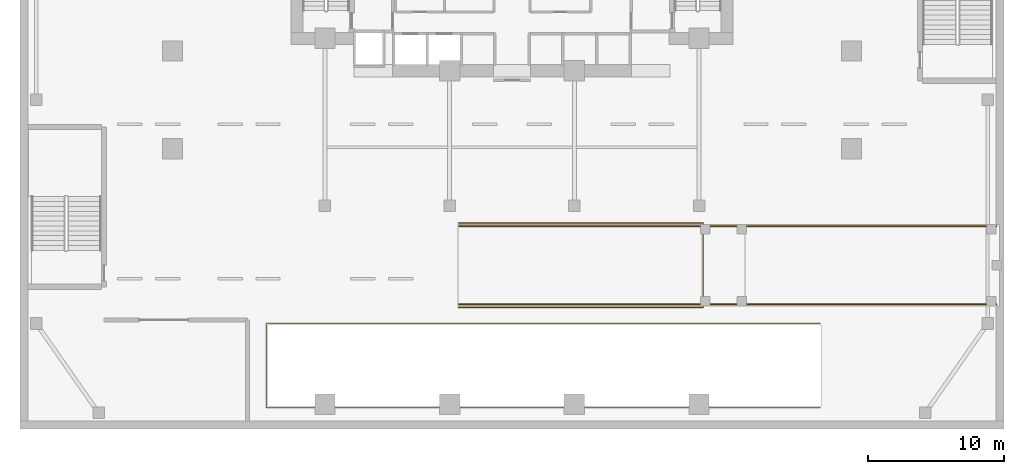
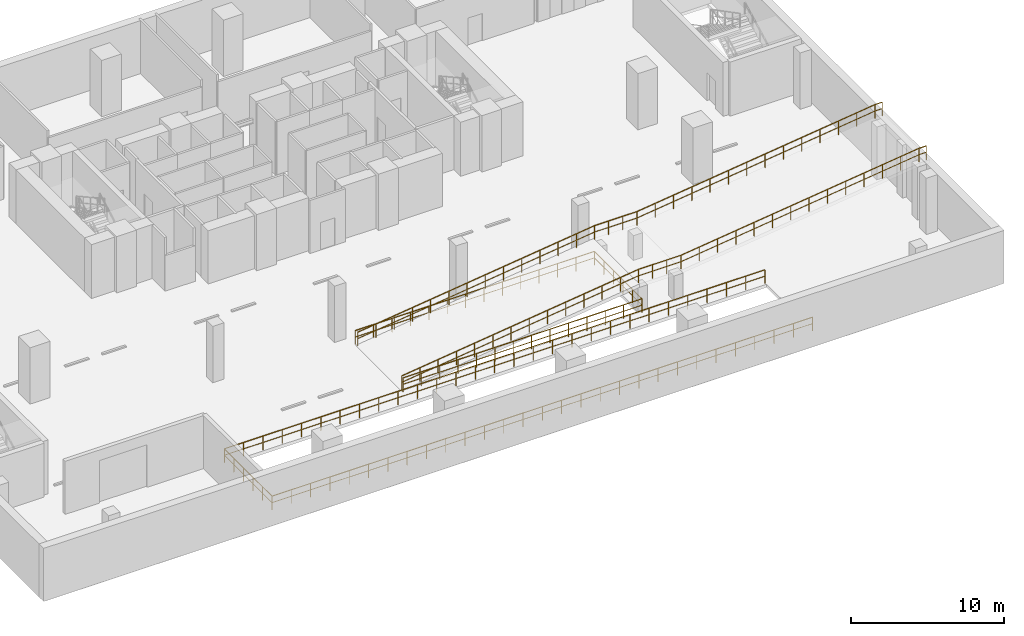
# One storey, part 10 of 13: 4 railings.
"""IFC4 building model written with IfcOpenShell, lengths in metres."""

from ifc_helpers import new_model, si_unit, direction, frame, origin, origin_2d, place, context, subcontext, project, spatial, rectangle, extrude, material, type_object, element, save


model = new_model("IFC4")

# Units and contexts
model_context = context("Model", 3, precision=1e-05, world=origin(), true_north=direction((0.0, 1.0)))
body_context = subcontext(model_context, "Body", "Model", "MODEL_VIEW")
ifc_project = project(units=[si_unit("LENGTHUNIT", "METRE"), si_unit("AREAUNIT", "SQUARE_METRE"), si_unit("VOLUMEUNIT", "CUBIC_METRE"), si_unit("PLANEANGLEUNIT", "RADIAN"), si_unit("MASSUNIT", "GRAM", prefix="KILO")], contexts=[model_context])

# Site, building, storey
site_placement = place(None, origin())
site = spatial("IfcSite", under=ifc_project, at=site_placement, CompositionType="ELEMENT")
building_placement = place(site_placement, origin())
building = spatial("IfcBuilding", under=site, at=building_placement, Name="Zuhayl Quay Hotel", CompositionType="ELEMENT")
storey_placement = place(building_placement, frame((0.0, 0.0, -4.5)))
storey = spatial("IfcBuildingStorey", under=building, at=storey_placement, Name="B1", CompositionType="ELEMENT", Elevation=-4.5)

# Railings
ifc_material = material(Name="Steel ASTM A992 Grade 50", Category="steel")
railing_type = type_object("IfcRailingType", Name="RL_GUARD_1100", PredefinedType="GUARDRAIL", material=ifc_material)
railing_1_placement = place(storey_placement, frame((22.75, -16.47998046875, 0.0)))
element("IfcRailing", 1, at=railing_1_placement, inside=storey, type_object=railing_type, Name="B1 Vehicle Ramp Opening Safety Guard SG_RAMP_WELL_B1_ARR", PredefinedType="GUARDRAIL", context=body_context, shape_type="SweptSolid", body=[
    extrude(rectangle(XDim=0.048095703125, YDim=0.048095703125, at=origin_2d()), frame((0.0, 0.0, 1.09619140625), z_axis=(-1.0, 0.0, 0.0), x_axis=(0.0, -1.0, 0.0)), (0.0, 0.0, 1.0), 40.8701171875),
    extrude(rectangle(XDim=0.0361328125, YDim=0.0361328125, at=origin_2d()), frame((0.0, 0.0, 0.58251953125), z_axis=(-1.0, 0.0, 0.0), x_axis=(0.0, -1.0, 0.0)), (0.0, 0.0, 1.0), 40.8701171875),
    extrude(rectangle(XDim=0.048095703125, YDim=0.048095703125, at=origin_2d()), frame((-40.8701171875, 0.0, 1.09619140625), z_axis=(0.0, -1.0, 0.0), x_axis=(1.0, 0.0, 0.0)), (0.0, 0.0, 1.0), 6.239990234375),
    extrude(rectangle(XDim=0.0361328125, YDim=0.0361328125, at=origin_2d()), frame((-40.8701171875, 0.0, 0.58251953125), z_axis=(0.0, -1.0, 0.0), x_axis=(1.0, 0.0, 0.0)), (0.0, 0.0, 1.0), 6.239990234375),
    extrude(rectangle(XDim=0.048095703125, YDim=0.048095703125, at=origin_2d()), frame((-40.8701171875, -6.239990234375, 1.09619140625), z_axis=(1.0, 0.0, 0.0), x_axis=(0.0, 1.0, 0.0)), (0.0, 0.0, 1.0), 40.8701171875),
    extrude(rectangle(XDim=0.0361328125, YDim=0.0361328125, at=origin_2d()), frame((-40.8701171875, -6.239990234375, 0.58251953125), z_axis=(1.0, 0.0, 0.0), x_axis=(0.0, 1.0, 0.0)), (0.0, 0.0, 1.0), 40.8701171875),
    extrude(rectangle(XDim=0.0419921875, YDim=0.0419921875, at=origin_2d()), origin(), (0.0, 0.0, 1.0), 1.072021484375),
    extrude(rectangle(XDim=0.0419921875, YDim=0.0419921875, at=origin_2d()), frame((-1.459716796875, 0.0, 0.0)), (0.0, 0.0, 1.0), 1.072021484375),
    extrude(rectangle(XDim=0.0419921875, YDim=0.0419921875, at=origin_2d()), frame((-2.919189453125, 0.0, 0.0)), (0.0, 0.0, 1.0), 1.072021484375),
    extrude(rectangle(XDim=0.0419921875, YDim=0.0419921875, at=origin_2d()), frame((-4.37890625, 0.0, 0.0)), (0.0, 0.0, 1.0), 1.072021484375),
    extrude(rectangle(XDim=0.0419921875, YDim=0.0419921875, at=origin_2d()), frame((-5.838623046875, 0.0, 0.0)), (0.0, 0.0, 1.0), 1.072021484375),
    extrude(rectangle(XDim=0.0419921875, YDim=0.0419921875, at=origin_2d()), frame((-7.29833984375, 0.0, 0.0)), (0.0, 0.0, 1.0), 1.072021484375),
    extrude(rectangle(XDim=0.0419921875, YDim=0.0419921875, at=origin_2d()), frame((-8.7578125, 0.0, 0.0)), (0.0, 0.0, 1.0), 1.072021484375),
    extrude(rectangle(XDim=0.0419921875, YDim=0.0419921875, at=origin_2d()), frame((-10.217529296875, 0.0, 0.0)), (0.0, 0.0, 1.0), 1.072021484375),
    extrude(rectangle(XDim=0.0419921875, YDim=0.0419921875, at=origin_2d()), frame((-11.67724609375, 0.0, 0.0)), (0.0, 0.0, 1.0), 1.072021484375),
    extrude(rectangle(XDim=0.0419921875, YDim=0.0419921875, at=origin_2d()), frame((-13.13671875, 0.0, 0.0)), (0.0, 0.0, 1.0), 1.072021484375),
    extrude(rectangle(XDim=0.0419921875, YDim=0.0419921875, at=origin_2d()), frame((-14.596435546875, 0.0, 0.0)), (0.0, 0.0, 1.0), 1.072021484375),
    extrude(rectangle(XDim=0.0419921875, YDim=0.0419921875, at=origin_2d()), frame((-16.05615234375, 0.0, 0.0)), (0.0, 0.0, 1.0), 1.072021484375),
    extrude(rectangle(XDim=0.0419921875, YDim=0.0419921875, at=origin_2d()), frame((-17.515869140625, 0.0, 0.0)), (0.0, 0.0, 1.0), 1.072021484375),
    extrude(rectangle(XDim=0.0419921875, YDim=0.0419921875, at=origin_2d()), frame((-18.975341796875, 0.0, 0.0)), (0.0, 0.0, 1.0), 1.072021484375),
    extrude(rectangle(XDim=0.0419921875, YDim=0.0419921875, at=origin_2d()), frame((-20.43505859375, 0.0, 0.0)), (0.0, 0.0, 1.0), 1.072021484375),
    extrude(rectangle(XDim=0.0419921875, YDim=0.0419921875, at=origin_2d()), frame((-21.894775390625, 0.0, 0.0)), (0.0, 0.0, 1.0), 1.072021484375),
    extrude(rectangle(XDim=0.0419921875, YDim=0.0419921875, at=origin_2d()), frame((-23.354248046875, 0.0, 0.0)), (0.0, 0.0, 1.0), 1.072021484375),
    extrude(rectangle(XDim=0.0419921875, YDim=0.0419921875, at=origin_2d()), frame((-24.81396484375, 0.0, 0.0)), (0.0, 0.0, 1.0), 1.072021484375),
    extrude(rectangle(XDim=0.0419921875, YDim=0.0419921875, at=origin_2d()), frame((-26.273681640625, 0.0, 0.0)), (0.0, 0.0, 1.0), 1.072021484375),
    extrude(rectangle(XDim=0.0419921875, YDim=0.0419921875, at=origin_2d()), frame((-27.7333984375, 0.0, 0.0)), (0.0, 0.0, 1.0), 1.072021484375),
    extrude(rectangle(XDim=0.0419921875, YDim=0.0419921875, at=origin_2d()), frame((-29.19287109375, 0.0, 0.0)), (0.0, 0.0, 1.0), 1.072021484375),
    extrude(rectangle(XDim=0.0419921875, YDim=0.0419921875, at=origin_2d()), frame((-30.652587890625, 0.0, 0.0)), (0.0, 0.0, 1.0), 1.072021484375),
    extrude(rectangle(XDim=0.0419921875, YDim=0.0419921875, at=origin_2d()), frame((-32.1123046875, 0.0, 0.0)), (0.0, 0.0, 1.0), 1.072021484375),
    extrude(rectangle(XDim=0.0419921875, YDim=0.0419921875, at=origin_2d()), frame((-33.57177734375, 0.0, 0.0)), (0.0, 0.0, 1.0), 1.072021484375),
    extrude(rectangle(XDim=0.0419921875, YDim=0.0419921875, at=origin_2d()), frame((-35.031494140625, 0.0, 0.0)), (0.0, 0.0, 1.0), 1.072021484375),
    extrude(rectangle(XDim=0.0419921875, YDim=0.0419921875, at=origin_2d()), frame((-36.4912109375, 0.0, 0.0)), (0.0, 0.0, 1.0), 1.072021484375),
    extrude(rectangle(XDim=0.0419921875, YDim=0.0419921875, at=origin_2d()), frame((-37.950927734375, 0.0, 0.0)), (0.0, 0.0, 1.0), 1.072021484375),
    extrude(rectangle(XDim=0.0419921875, YDim=0.0419921875, at=origin_2d()), frame((-39.410400390625, 0.0, 0.0)), (0.0, 0.0, 1.0), 1.072021484375),
    extrude(rectangle(XDim=0.0419921875, YDim=0.0419921875, at=origin_2d()), frame((-40.8701171875, 0.0, 0.0)), (0.0, 0.0, 1.0), 1.072021484375),
    extrude(rectangle(XDim=0.0419921875, YDim=0.0419921875, at=origin_2d()), frame((-40.8701171875, -1.248046875, 0.0)), (0.0, 0.0, 1.0), 1.072021484375),
    extrude(rectangle(XDim=0.0419921875, YDim=0.0419921875, at=origin_2d()), frame((-40.8701171875, -2.49609375, 0.0)), (0.0, 0.0, 1.0), 1.072021484375),
    extrude(rectangle(XDim=0.0419921875, YDim=0.0419921875, at=origin_2d()), frame((-40.8701171875, -3.743896484375, 0.0)), (0.0, 0.0, 1.0), 1.072021484375),
    extrude(rectangle(XDim=0.0419921875, YDim=0.0419921875, at=origin_2d()), frame((-40.8701171875, -4.991943359375, 0.0)), (0.0, 0.0, 1.0), 1.072021484375),
    extrude(rectangle(XDim=0.0419921875, YDim=0.0419921875, at=origin_2d()), frame((-40.8701171875, -6.239990234375, 0.0)), (0.0, 0.0, 1.0), 1.072021484375),
    extrude(rectangle(XDim=0.0419921875, YDim=0.0419921875, at=origin_2d()), frame((-39.410400390625, -6.239990234375, 0.0)), (0.0, 0.0, 1.0), 1.072021484375),
    extrude(rectangle(XDim=0.0419921875, YDim=0.0419921875, at=origin_2d()), frame((-37.950927734375, -6.239990234375, 0.0)), (0.0, 0.0, 1.0), 1.072021484375),
    extrude(rectangle(XDim=0.0419921875, YDim=0.0419921875, at=origin_2d()), frame((-36.4912109375, -6.239990234375, 0.0)), (0.0, 0.0, 1.0), 1.072021484375),
    extrude(rectangle(XDim=0.0419921875, YDim=0.0419921875, at=origin_2d()), frame((-35.031494140625, -6.239990234375, 0.0)), (0.0, 0.0, 1.0), 1.072021484375),
    extrude(rectangle(XDim=0.0419921875, YDim=0.0419921875, at=origin_2d()), frame((-33.57177734375, -6.239990234375, 0.0)), (0.0, 0.0, 1.0), 1.072021484375),
    extrude(rectangle(XDim=0.0419921875, YDim=0.0419921875, at=origin_2d()), frame((-32.1123046875, -6.239990234375, 0.0)), (0.0, 0.0, 1.0), 1.072021484375),
    extrude(rectangle(XDim=0.0419921875, YDim=0.0419921875, at=origin_2d()), frame((-30.652587890625, -6.239990234375, 0.0)), (0.0, 0.0, 1.0), 1.072021484375),
    extrude(rectangle(XDim=0.0419921875, YDim=0.0419921875, at=origin_2d()), frame((-29.19287109375, -6.239990234375, 0.0)), (0.0, 0.0, 1.0), 1.072021484375),
    extrude(rectangle(XDim=0.0419921875, YDim=0.0419921875, at=origin_2d()), frame((-27.7333984375, -6.239990234375, 0.0)), (0.0, 0.0, 1.0), 1.072021484375),
    extrude(rectangle(XDim=0.0419921875, YDim=0.0419921875, at=origin_2d()), frame((-26.273681640625, -6.239990234375, 0.0)), (0.0, 0.0, 1.0), 1.072021484375),
    extrude(rectangle(XDim=0.0419921875, YDim=0.0419921875, at=origin_2d()), frame((-24.81396484375, -6.239990234375, 0.0)), (0.0, 0.0, 1.0), 1.072021484375),
    extrude(rectangle(XDim=0.0419921875, YDim=0.0419921875, at=origin_2d()), frame((-23.354248046875, -6.239990234375, 0.0)), (0.0, 0.0, 1.0), 1.072021484375),
    extrude(rectangle(XDim=0.0419921875, YDim=0.0419921875, at=origin_2d()), frame((-21.894775390625, -6.239990234375, 0.0)), (0.0, 0.0, 1.0), 1.072021484375),
    extrude(rectangle(XDim=0.0419921875, YDim=0.0419921875, at=origin_2d()), frame((-20.43505859375, -6.239990234375, 0.0)), (0.0, 0.0, 1.0), 1.072021484375),
    extrude(rectangle(XDim=0.0419921875, YDim=0.0419921875, at=origin_2d()), frame((-18.975341796875, -6.239990234375, 0.0)), (0.0, 0.0, 1.0), 1.072021484375),
    extrude(rectangle(XDim=0.0419921875, YDim=0.0419921875, at=origin_2d()), frame((-17.515869140625, -6.239990234375, 0.0)), (0.0, 0.0, 1.0), 1.072021484375),
    extrude(rectangle(XDim=0.0419921875, YDim=0.0419921875, at=origin_2d()), frame((-16.05615234375, -6.239990234375, 0.0)), (0.0, 0.0, 1.0), 1.072021484375),
    extrude(rectangle(XDim=0.0419921875, YDim=0.0419921875, at=origin_2d()), frame((-14.596435546875, -6.239990234375, 0.0)), (0.0, 0.0, 1.0), 1.072021484375),
    extrude(rectangle(XDim=0.0419921875, YDim=0.0419921875, at=origin_2d()), frame((-13.13671875, -6.239990234375, 0.0)), (0.0, 0.0, 1.0), 1.072021484375),
    extrude(rectangle(XDim=0.0419921875, YDim=0.0419921875, at=origin_2d()), frame((-11.67724609375, -6.239990234375, 0.0)), (0.0, 0.0, 1.0), 1.072021484375),
    extrude(rectangle(XDim=0.0419921875, YDim=0.0419921875, at=origin_2d()), frame((-10.217529296875, -6.239990234375, 0.0)), (0.0, 0.0, 1.0), 1.072021484375),
    extrude(rectangle(XDim=0.0419921875, YDim=0.0419921875, at=origin_2d()), frame((-8.7578125, -6.239990234375, 0.0)), (0.0, 0.0, 1.0), 1.072021484375),
    extrude(rectangle(XDim=0.0419921875, YDim=0.0419921875, at=origin_2d()), frame((-7.29833984375, -6.239990234375, 0.0)), (0.0, 0.0, 1.0), 1.072021484375),
    extrude(rectangle(XDim=0.0419921875, YDim=0.0419921875, at=origin_2d()), frame((-5.838623046875, -6.239990234375, 0.0)), (0.0, 0.0, 1.0), 1.072021484375),
    extrude(rectangle(XDim=0.0419921875, YDim=0.0419921875, at=origin_2d()), frame((-4.37890625, -6.239990234375, 0.0)), (0.0, 0.0, 1.0), 1.072021484375),
    extrude(rectangle(XDim=0.0419921875, YDim=0.0419921875, at=origin_2d()), frame((-2.919189453125, -6.239990234375, 0.0)), (0.0, 0.0, 1.0), 1.072021484375),
    extrude(rectangle(XDim=0.0419921875, YDim=0.0419921875, at=origin_2d()), frame((-1.459716796875, -6.239990234375, 0.0)), (0.0, 0.0, 1.0), 1.072021484375),
    extrude(rectangle(XDim=0.0419921875, YDim=0.0419921875, at=origin_2d()), frame((0.0, -6.239990234375, 0.0)), (0.0, 0.0, 1.0), 1.072021484375),
])
railing_2_placement = place(storey_placement, frame((-3.949951171875, -9.080078125, 0.0)))
element("IfcRailing", 2, at=railing_2_placement, inside=storey, type_object=railing_type, Name="B1 Vehicle Ramp Opening Safety Guard SG_RAMP_WELL_B1_DEP", PredefinedType="GUARDRAIL", context=body_context, shape_type="SweptSolid", body=[
    extrude(rectangle(XDim=0.048095703125, YDim=0.048095703125, at=origin_2d()), frame((0.0, 0.0, 1.09619140625), z_axis=(1.0, 0.0, 0.0), x_axis=(0.0, 1.0, 0.0)), (0.0, 0.0, 1.0), 18.070068359375),
    extrude(rectangle(XDim=0.0361328125, YDim=0.0361328125, at=origin_2d()), frame((0.0, 0.0, 0.58251953125), z_axis=(1.0, 0.0, 0.0), x_axis=(0.0, 1.0, 0.0)), (0.0, 0.0, 1.0), 18.070068359375),
    extrude(rectangle(XDim=0.048095703125, YDim=0.048095703125, at=origin_2d()), frame((18.070068359375, 0.0, 1.09619140625), z_axis=(0.0, -1.0, 0.0), x_axis=(1.0, 0.0, 0.0)), (0.0, 0.0, 1.0), 6.239990234375),
    extrude(rectangle(XDim=0.0361328125, YDim=0.0361328125, at=origin_2d()), frame((18.070068359375, 0.0, 0.58251953125), z_axis=(0.0, -1.0, 0.0), x_axis=(1.0, 0.0, 0.0)), (0.0, 0.0, 1.0), 6.239990234375),
    extrude(rectangle(XDim=0.048095703125, YDim=0.048095703125, at=origin_2d()), frame((18.070068359375, -6.239990234375, 1.09619140625), z_axis=(-1.0, 0.0, 0.0), x_axis=(0.0, -1.0, 0.0)), (0.0, 0.0, 1.0), 18.070068359375),
    extrude(rectangle(XDim=0.0361328125, YDim=0.0361328125, at=origin_2d()), frame((18.070068359375, -6.239990234375, 0.58251953125), z_axis=(-1.0, 0.0, 0.0), x_axis=(0.0, -1.0, 0.0)), (0.0, 0.0, 1.0), 18.070068359375),
    extrude(rectangle(XDim=0.0419921875, YDim=0.0419921875, at=origin_2d()), origin(), (0.0, 0.0, 1.0), 1.072021484375),
    extrude(rectangle(XDim=0.0419921875, YDim=0.0419921875, at=origin_2d()), frame((1.389892578125, 0.0, 0.0)), (0.0, 0.0, 1.0), 1.072021484375),
    extrude(rectangle(XDim=0.0419921875, YDim=0.0419921875, at=origin_2d()), frame((2.780029296875, 0.0, 0.0)), (0.0, 0.0, 1.0), 1.072021484375),
    extrude(rectangle(XDim=0.0419921875, YDim=0.0419921875, at=origin_2d()), frame((4.169921875, 0.0, 0.0)), (0.0, 0.0, 1.0), 1.072021484375),
    extrude(rectangle(XDim=0.0419921875, YDim=0.0419921875, at=origin_2d()), frame((5.56005859375, 0.0, 0.0)), (0.0, 0.0, 1.0), 1.072021484375),
    extrude(rectangle(XDim=0.0419921875, YDim=0.0419921875, at=origin_2d()), frame((6.949951171875, 0.0, 0.0)), (0.0, 0.0, 1.0), 1.072021484375),
    extrude(rectangle(XDim=0.0419921875, YDim=0.0419921875, at=origin_2d()), frame((8.340087890625, 0.0, 0.0)), (0.0, 0.0, 1.0), 1.072021484375),
    extrude(rectangle(XDim=0.0419921875, YDim=0.0419921875, at=origin_2d()), frame((9.72998046875, 0.0, 0.0)), (0.0, 0.0, 1.0), 1.072021484375),
    extrude(rectangle(XDim=0.0419921875, YDim=0.0419921875, at=origin_2d()), frame((11.1201171875, 0.0, 0.0)), (0.0, 0.0, 1.0), 1.072021484375),
    extrude(rectangle(XDim=0.0419921875, YDim=0.0419921875, at=origin_2d()), frame((12.510009765625, 0.0, 0.0)), (0.0, 0.0, 1.0), 1.072021484375),
    extrude(rectangle(XDim=0.0419921875, YDim=0.0419921875, at=origin_2d()), frame((13.900146484375, 0.0, 0.0)), (0.0, 0.0, 1.0), 1.072021484375),
    extrude(rectangle(XDim=0.0419921875, YDim=0.0419921875, at=origin_2d()), frame((15.2900390625, 0.0, 0.0)), (0.0, 0.0, 1.0), 1.072021484375),
    extrude(rectangle(XDim=0.0419921875, YDim=0.0419921875, at=origin_2d()), frame((16.68017578125, 0.0, 0.0)), (0.0, 0.0, 1.0), 1.072021484375),
    extrude(rectangle(XDim=0.0419921875, YDim=0.0419921875, at=origin_2d()), frame((18.070068359375, 0.0, 0.0)), (0.0, 0.0, 1.0), 1.072021484375),
    extrude(rectangle(XDim=0.0419921875, YDim=0.0419921875, at=origin_2d()), frame((18.070068359375, -1.248046875, 0.0)), (0.0, 0.0, 1.0), 1.072021484375),
    extrude(rectangle(XDim=0.0419921875, YDim=0.0419921875, at=origin_2d()), frame((18.070068359375, -2.49609375, 0.0)), (0.0, 0.0, 1.0), 1.072021484375),
    extrude(rectangle(XDim=0.0419921875, YDim=0.0419921875, at=origin_2d()), frame((18.070068359375, -3.743896484375, 0.0)), (0.0, 0.0, 1.0), 1.072021484375),
    extrude(rectangle(XDim=0.0419921875, YDim=0.0419921875, at=origin_2d()), frame((18.070068359375, -4.991943359375, 0.0)), (0.0, 0.0, 1.0), 1.072021484375),
    extrude(rectangle(XDim=0.0419921875, YDim=0.0419921875, at=origin_2d()), frame((18.070068359375, -6.239990234375, 0.0)), (0.0, 0.0, 1.0), 1.072021484375),
    extrude(rectangle(XDim=0.0419921875, YDim=0.0419921875, at=origin_2d()), frame((16.68017578125, -6.239990234375, 0.0)), (0.0, 0.0, 1.0), 1.072021484375),
    extrude(rectangle(XDim=0.0419921875, YDim=0.0419921875, at=origin_2d()), frame((15.2900390625, -6.239990234375, 0.0)), (0.0, 0.0, 1.0), 1.072021484375),
    extrude(rectangle(XDim=0.0419921875, YDim=0.0419921875, at=origin_2d()), frame((13.900146484375, -6.239990234375, 0.0)), (0.0, 0.0, 1.0), 1.072021484375),
    extrude(rectangle(XDim=0.0419921875, YDim=0.0419921875, at=origin_2d()), frame((12.510009765625, -6.239990234375, 0.0)), (0.0, 0.0, 1.0), 1.072021484375),
    extrude(rectangle(XDim=0.0419921875, YDim=0.0419921875, at=origin_2d()), frame((11.1201171875, -6.239990234375, 0.0)), (0.0, 0.0, 1.0), 1.072021484375),
    extrude(rectangle(XDim=0.0419921875, YDim=0.0419921875, at=origin_2d()), frame((9.72998046875, -6.239990234375, 0.0)), (0.0, 0.0, 1.0), 1.072021484375),
    extrude(rectangle(XDim=0.0419921875, YDim=0.0419921875, at=origin_2d()), frame((8.340087890625, -6.239990234375, 0.0)), (0.0, 0.0, 1.0), 1.072021484375),
    extrude(rectangle(XDim=0.0419921875, YDim=0.0419921875, at=origin_2d()), frame((6.949951171875, -6.239990234375, 0.0)), (0.0, 0.0, 1.0), 1.072021484375),
    extrude(rectangle(XDim=0.0419921875, YDim=0.0419921875, at=origin_2d()), frame((5.56005859375, -6.239990234375, 0.0)), (0.0, 0.0, 1.0), 1.072021484375),
    extrude(rectangle(XDim=0.0419921875, YDim=0.0419921875, at=origin_2d()), frame((4.169921875, -6.239990234375, 0.0)), (0.0, 0.0, 1.0), 1.072021484375),
    extrude(rectangle(XDim=0.0419921875, YDim=0.0419921875, at=origin_2d()), frame((2.780029296875, -6.239990234375, 0.0)), (0.0, 0.0, 1.0), 1.072021484375),
    extrude(rectangle(XDim=0.0419921875, YDim=0.0419921875, at=origin_2d()), frame((1.389892578125, -6.239990234375, 0.0)), (0.0, 0.0, 1.0), 1.072021484375),
    extrude(rectangle(XDim=0.0419921875, YDim=0.0419921875, at=origin_2d()), frame((0.0, -6.239990234375, 0.0)), (0.0, 0.0, 1.0), 1.072021484375),
])
railing_3_placement = place(storey_placement, frame((-3.89990234375, -15.080078125, 0.0)))
element("IfcRailing", 3, at=railing_3_placement, inside=storey, type_object=railing_type, Name="B1 Vehicle Ramp Opening Safety Guard SG_VR_B1_SOUTH", PredefinedType="GUARDRAIL", context=body_context, shape_type="SweptSolid", body=[
    extrude(rectangle(XDim=0.048095703125, YDim=0.048095703125, at=origin_2d()), frame((0.0, 0.0, 1.09619140625), z_axis=(0.992192281474, 0.0, 0.124717587306), x_axis=(0.0, 1.0, 0.0)), (0.0, 0.0, 1.0), 18.040771484375),
    extrude(rectangle(XDim=0.0361328125, YDim=0.0361328125, at=origin_2d()), frame((0.0, 0.0, 0.58251953125), z_axis=(0.992192281474, 0.0, 0.124717587306), x_axis=(0.0, 1.0, 0.0)), (0.0, 0.0, 1.0), 18.040771484375),
    extrude(rectangle(XDim=0.048095703125, YDim=0.048095703125, at=origin_2d()), frame((17.89990234375, 0.0, 3.34619140625), z_axis=(1.0, 0.0, 0.0), x_axis=(0.0, 1.0, 0.0)), (0.0, 0.0, 1.0), 3.199951171875),
    extrude(rectangle(XDim=0.0361328125, YDim=0.0361328125, at=origin_2d()), frame((17.89990234375, 0.0, 2.83251953125), z_axis=(1.0, 0.0, 0.0), x_axis=(0.0, 1.0, 0.0)), (0.0, 0.0, 1.0), 3.199951171875),
    extrude(rectangle(XDim=0.048095703125, YDim=0.048095703125, at=origin_2d()), frame((21.099853515625, 0.0, 3.34619140625), z_axis=(0.992277876714, 0.0, 0.124034734589), x_axis=(0.0, 1.0, 0.0)), (0.0, 0.0, 1.0), 18.14013671875),
    extrude(rectangle(XDim=0.0361328125, YDim=0.0361328125, at=origin_2d()), frame((21.099853515625, 0.0, 2.83251953125), z_axis=(0.992277876714, 0.0, 0.124034734589), x_axis=(0.0, 1.0, 0.0)), (0.0, 0.0, 1.0), 18.14013671875),
    extrude(rectangle(XDim=0.048095703125, YDim=0.048095703125, at=origin_2d()), frame((39.099853515625, 0.0, 5.59619140625), z_axis=(1.0, 0.0, 0.0), x_axis=(0.0, 1.0, 0.0)), (0.0, 0.0, 1.0), 0.550048828125),
    extrude(rectangle(XDim=0.0361328125, YDim=0.0361328125, at=origin_2d()), frame((39.099853515625, 0.0, 5.08251953125), z_axis=(1.0, 0.0, 0.0), x_axis=(0.0, 1.0, 0.0)), (0.0, 0.0, 1.0), 0.550048828125),
    extrude(rectangle(XDim=0.0419921875, YDim=0.0419921875, at=origin_2d()), origin(), (0.0, 0.0, 1.0), 1.072021484375),
    extrude(rectangle(XDim=0.0419921875, YDim=0.0419921875, at=origin_2d()), frame((1.376953125, 0.0, 0.173095703125)), (0.0, 0.0, 1.0), 1.072021484375),
    extrude(rectangle(XDim=0.0419921875, YDim=0.0419921875, at=origin_2d()), frame((2.75390625, 0.0, 0.34619140625)), (0.0, 0.0, 1.0), 1.072021484375),
    extrude(rectangle(XDim=0.0419921875, YDim=0.0419921875, at=origin_2d()), frame((4.130859375, 0.0, 0.519287109375)), (0.0, 0.0, 1.0), 1.072021484375),
    extrude(rectangle(XDim=0.0419921875, YDim=0.0419921875, at=origin_2d()), frame((5.507568359375, 0.0, 0.6923828125)), (0.0, 0.0, 1.0), 1.072021484375),
    extrude(rectangle(XDim=0.0419921875, YDim=0.0419921875, at=origin_2d()), frame((6.884521484375, 0.0, 0.865478515625)), (0.0, 0.0, 1.0), 1.072021484375),
    extrude(rectangle(XDim=0.0419921875, YDim=0.0419921875, at=origin_2d()), frame((8.261474609375, 0.0, 1.03857421875)), (0.0, 0.0, 1.0), 1.072021484375),
    extrude(rectangle(XDim=0.0419921875, YDim=0.0419921875, at=origin_2d()), frame((9.638427734375, 0.0, 1.21142578125)), (0.0, 0.0, 1.0), 1.072021484375),
    extrude(rectangle(XDim=0.0419921875, YDim=0.0419921875, at=origin_2d()), frame((11.015380859375, 0.0, 1.384521484375)), (0.0, 0.0, 1.0), 1.072021484375),
    extrude(rectangle(XDim=0.0419921875, YDim=0.0419921875, at=origin_2d()), frame((12.392333984375, 0.0, 1.5576171875)), (0.0, 0.0, 1.0), 1.072021484375),
    extrude(rectangle(XDim=0.0419921875, YDim=0.0419921875, at=origin_2d()), frame((13.76904296875, 0.0, 1.730712890625)), (0.0, 0.0, 1.0), 1.072021484375),
    extrude(rectangle(XDim=0.0419921875, YDim=0.0419921875, at=origin_2d()), frame((15.14599609375, 0.0, 1.90380859375)), (0.0, 0.0, 1.0), 1.072021484375),
    extrude(rectangle(XDim=0.0419921875, YDim=0.0419921875, at=origin_2d()), frame((16.52294921875, 0.0, 2.076904296875)), (0.0, 0.0, 1.0), 1.072021484375),
    extrude(rectangle(XDim=0.0419921875, YDim=0.0419921875, at=origin_2d()), frame((17.89990234375, 0.0, 2.25)), (0.0, 0.0, 1.0), 1.072021484375),
    extrude(rectangle(XDim=0.0419921875, YDim=0.0419921875, at=origin_2d()), frame((18.966552734375, 0.0, 2.25)), (0.0, 0.0, 1.0), 1.072021484375),
    extrude(rectangle(XDim=0.0419921875, YDim=0.0419921875, at=origin_2d()), frame((20.033203125, 0.0, 2.25)), (0.0, 0.0, 1.0), 1.072021484375),
    extrude(rectangle(XDim=0.0419921875, YDim=0.0419921875, at=origin_2d()), frame((21.099853515625, 0.0, 2.25)), (0.0, 0.0, 1.0), 1.072021484375),
    extrude(rectangle(XDim=0.0419921875, YDim=0.0419921875, at=origin_2d()), frame((22.484375, 0.0, 2.423095703125)), (0.0, 0.0, 1.0), 1.072021484375),
    extrude(rectangle(XDim=0.0419921875, YDim=0.0419921875, at=origin_2d()), frame((23.869140625, 0.0, 2.59619140625)), (0.0, 0.0, 1.0), 1.072021484375),
    extrude(rectangle(XDim=0.0419921875, YDim=0.0419921875, at=origin_2d()), frame((25.253662109375, 0.0, 2.769287109375)), (0.0, 0.0, 1.0), 1.072021484375),
    extrude(rectangle(XDim=0.0419921875, YDim=0.0419921875, at=origin_2d()), frame((26.638427734375, 0.0, 2.9423828125)), (0.0, 0.0, 1.0), 1.072021484375),
    extrude(rectangle(XDim=0.0419921875, YDim=0.0419921875, at=origin_2d()), frame((28.02294921875, 0.0, 3.115478515625)), (0.0, 0.0, 1.0), 1.072021484375),
    extrude(rectangle(XDim=0.0419921875, YDim=0.0419921875, at=origin_2d()), frame((29.407470703125, 0.0, 3.28857421875)), (0.0, 0.0, 1.0), 1.072021484375),
    extrude(rectangle(XDim=0.0419921875, YDim=0.0419921875, at=origin_2d()), frame((30.792236328125, 0.0, 3.46142578125)), (0.0, 0.0, 1.0), 1.072021484375),
    extrude(rectangle(XDim=0.0419921875, YDim=0.0419921875, at=origin_2d()), frame((32.1767578125, 0.0, 3.634521484375)), (0.0, 0.0, 1.0), 1.072021484375),
    extrude(rectangle(XDim=0.0419921875, YDim=0.0419921875, at=origin_2d()), frame((33.561279296875, 0.0, 3.8076171875)), (0.0, 0.0, 1.0), 1.072021484375),
    extrude(rectangle(XDim=0.0419921875, YDim=0.0419921875, at=origin_2d()), frame((34.946044921875, 0.0, 3.980712890625)), (0.0, 0.0, 1.0), 1.072021484375),
    extrude(rectangle(XDim=0.0419921875, YDim=0.0419921875, at=origin_2d()), frame((36.33056640625, 0.0, 4.15380859375)), (0.0, 0.0, 1.0), 1.072021484375),
    extrude(rectangle(XDim=0.0419921875, YDim=0.0419921875, at=origin_2d()), frame((37.71533203125, 0.0, 4.326904296875)), (0.0, 0.0, 1.0), 1.072021484375),
    extrude(rectangle(XDim=0.0419921875, YDim=0.0419921875, at=origin_2d()), frame((39.099853515625, 0.0, 4.5)), (0.0, 0.0, 1.0), 1.072021484375),
    extrude(rectangle(XDim=0.0419921875, YDim=0.0419921875, at=origin_2d()), frame((39.64990234375, 0.0, 4.5)), (0.0, 0.0, 1.0), 1.072021484375),
])
railing_4_placement = place(storey_placement, frame((-3.89990234375, -9.320068359375, 0.0)))
element("IfcRailing", 4, at=railing_4_placement, inside=storey, type_object=railing_type, Name="B1 Vehicle Ramp Opening Safety Guard SG_VR_B1_NORTH", PredefinedType="GUARDRAIL", context=body_context, shape_type="SweptSolid", body=[
    extrude(rectangle(XDim=0.048095703125, YDim=0.048095703125, at=origin_2d()), frame((0.0, 0.0, 1.09619140625), z_axis=(0.992192281474, 0.0, 0.124717587306), x_axis=(0.0, 1.0, 0.0)), (0.0, 0.0, 1.0), 18.040771484375),
    extrude(rectangle(XDim=0.0361328125, YDim=0.0361328125, at=origin_2d()), frame((0.0, 0.0, 0.58251953125), z_axis=(0.992192281474, 0.0, 0.124717587306), x_axis=(0.0, 1.0, 0.0)), (0.0, 0.0, 1.0), 18.040771484375),
    extrude(rectangle(XDim=0.048095703125, YDim=0.048095703125, at=origin_2d()), frame((17.89990234375, 0.0, 3.34619140625), z_axis=(1.0, 0.0, 0.0), x_axis=(0.0, 1.0, 0.0)), (0.0, 0.0, 1.0), 3.199951171875),
    extrude(rectangle(XDim=0.0361328125, YDim=0.0361328125, at=origin_2d()), frame((17.89990234375, 0.0, 2.83251953125), z_axis=(1.0, 0.0, 0.0), x_axis=(0.0, 1.0, 0.0)), (0.0, 0.0, 1.0), 3.199951171875),
    extrude(rectangle(XDim=0.048095703125, YDim=0.048095703125, at=origin_2d()), frame((21.099853515625, 0.0, 3.34619140625), z_axis=(0.992277876714, 0.0, 0.124034734589), x_axis=(0.0, 1.0, 0.0)), (0.0, 0.0, 1.0), 18.14013671875),
    extrude(rectangle(XDim=0.0361328125, YDim=0.0361328125, at=origin_2d()), frame((21.099853515625, 0.0, 2.83251953125), z_axis=(0.992277876714, 0.0, 0.124034734589), x_axis=(0.0, 1.0, 0.0)), (0.0, 0.0, 1.0), 18.14013671875),
    extrude(rectangle(XDim=0.048095703125, YDim=0.048095703125, at=origin_2d()), frame((39.099853515625, 0.0, 5.59619140625), z_axis=(1.0, 0.0, 0.0), x_axis=(0.0, 1.0, 0.0)), (0.0, 0.0, 1.0), 0.550048828125),
    extrude(rectangle(XDim=0.0361328125, YDim=0.0361328125, at=origin_2d()), frame((39.099853515625, 0.0, 5.08251953125), z_axis=(1.0, 0.0, 0.0), x_axis=(0.0, 1.0, 0.0)), (0.0, 0.0, 1.0), 0.550048828125),
    extrude(rectangle(XDim=0.0419921875, YDim=0.0419921875, at=origin_2d()), origin(), (0.0, 0.0, 1.0), 1.072021484375),
    extrude(rectangle(XDim=0.0419921875, YDim=0.0419921875, at=origin_2d()), frame((1.376953125, 0.0, 0.173095703125)), (0.0, 0.0, 1.0), 1.072021484375),
    extrude(rectangle(XDim=0.0419921875, YDim=0.0419921875, at=origin_2d()), frame((2.75390625, 0.0, 0.34619140625)), (0.0, 0.0, 1.0), 1.072021484375),
    extrude(rectangle(XDim=0.0419921875, YDim=0.0419921875, at=origin_2d()), frame((4.130859375, 0.0, 0.519287109375)), (0.0, 0.0, 1.0), 1.072021484375),
    extrude(rectangle(XDim=0.0419921875, YDim=0.0419921875, at=origin_2d()), frame((5.507568359375, 0.0, 0.6923828125)), (0.0, 0.0, 1.0), 1.072021484375),
    extrude(rectangle(XDim=0.0419921875, YDim=0.0419921875, at=origin_2d()), frame((6.884521484375, 0.0, 0.865478515625)), (0.0, 0.0, 1.0), 1.072021484375),
    extrude(rectangle(XDim=0.0419921875, YDim=0.0419921875, at=origin_2d()), frame((8.261474609375, 0.0, 1.03857421875)), (0.0, 0.0, 1.0), 1.072021484375),
    extrude(rectangle(XDim=0.0419921875, YDim=0.0419921875, at=origin_2d()), frame((9.638427734375, 0.0, 1.21142578125)), (0.0, 0.0, 1.0), 1.072021484375),
    extrude(rectangle(XDim=0.0419921875, YDim=0.0419921875, at=origin_2d()), frame((11.015380859375, 0.0, 1.384521484375)), (0.0, 0.0, 1.0), 1.072021484375),
    extrude(rectangle(XDim=0.0419921875, YDim=0.0419921875, at=origin_2d()), frame((12.392333984375, 0.0, 1.5576171875)), (0.0, 0.0, 1.0), 1.072021484375),
    extrude(rectangle(XDim=0.0419921875, YDim=0.0419921875, at=origin_2d()), frame((13.76904296875, 0.0, 1.730712890625)), (0.0, 0.0, 1.0), 1.072021484375),
    extrude(rectangle(XDim=0.0419921875, YDim=0.0419921875, at=origin_2d()), frame((15.14599609375, 0.0, 1.90380859375)), (0.0, 0.0, 1.0), 1.072021484375),
    extrude(rectangle(XDim=0.0419921875, YDim=0.0419921875, at=origin_2d()), frame((16.52294921875, 0.0, 2.076904296875)), (0.0, 0.0, 1.0), 1.072021484375),
    extrude(rectangle(XDim=0.0419921875, YDim=0.0419921875, at=origin_2d()), frame((17.89990234375, 0.0, 2.25)), (0.0, 0.0, 1.0), 1.072021484375),
    extrude(rectangle(XDim=0.0419921875, YDim=0.0419921875, at=origin_2d()), frame((18.966552734375, 0.0, 2.25)), (0.0, 0.0, 1.0), 1.072021484375),
    extrude(rectangle(XDim=0.0419921875, YDim=0.0419921875, at=origin_2d()), frame((20.033203125, 0.0, 2.25)), (0.0, 0.0, 1.0), 1.072021484375),
    extrude(rectangle(XDim=0.0419921875, YDim=0.0419921875, at=origin_2d()), frame((21.099853515625, 0.0, 2.25)), (0.0, 0.0, 1.0), 1.072021484375),
    extrude(rectangle(XDim=0.0419921875, YDim=0.0419921875, at=origin_2d()), frame((22.484375, 0.0, 2.423095703125)), (0.0, 0.0, 1.0), 1.072021484375),
    extrude(rectangle(XDim=0.0419921875, YDim=0.0419921875, at=origin_2d()), frame((23.869140625, 0.0, 2.59619140625)), (0.0, 0.0, 1.0), 1.072021484375),
    extrude(rectangle(XDim=0.0419921875, YDim=0.0419921875, at=origin_2d()), frame((25.253662109375, 0.0, 2.769287109375)), (0.0, 0.0, 1.0), 1.072021484375),
    extrude(rectangle(XDim=0.0419921875, YDim=0.0419921875, at=origin_2d()), frame((26.638427734375, 0.0, 2.9423828125)), (0.0, 0.0, 1.0), 1.072021484375),
    extrude(rectangle(XDim=0.0419921875, YDim=0.0419921875, at=origin_2d()), frame((28.02294921875, 0.0, 3.115478515625)), (0.0, 0.0, 1.0), 1.072021484375),
    extrude(rectangle(XDim=0.0419921875, YDim=0.0419921875, at=origin_2d()), frame((29.407470703125, 0.0, 3.28857421875)), (0.0, 0.0, 1.0), 1.072021484375),
    extrude(rectangle(XDim=0.0419921875, YDim=0.0419921875, at=origin_2d()), frame((30.792236328125, 0.0, 3.46142578125)), (0.0, 0.0, 1.0), 1.072021484375),
    extrude(rectangle(XDim=0.0419921875, YDim=0.0419921875, at=origin_2d()), frame((32.1767578125, 0.0, 3.634521484375)), (0.0, 0.0, 1.0), 1.072021484375),
    extrude(rectangle(XDim=0.0419921875, YDim=0.0419921875, at=origin_2d()), frame((33.561279296875, 0.0, 3.8076171875)), (0.0, 0.0, 1.0), 1.072021484375),
    extrude(rectangle(XDim=0.0419921875, YDim=0.0419921875, at=origin_2d()), frame((34.946044921875, 0.0, 3.980712890625)), (0.0, 0.0, 1.0), 1.072021484375),
    extrude(rectangle(XDim=0.0419921875, YDim=0.0419921875, at=origin_2d()), frame((36.33056640625, 0.0, 4.15380859375)), (0.0, 0.0, 1.0), 1.072021484375),
    extrude(rectangle(XDim=0.0419921875, YDim=0.0419921875, at=origin_2d()), frame((37.71533203125, 0.0, 4.326904296875)), (0.0, 0.0, 1.0), 1.072021484375),
    extrude(rectangle(XDim=0.0419921875, YDim=0.0419921875, at=origin_2d()), frame((39.099853515625, 0.0, 4.5)), (0.0, 0.0, 1.0), 1.072021484375),
    extrude(rectangle(XDim=0.0419921875, YDim=0.0419921875, at=origin_2d()), frame((39.64990234375, 0.0, 4.5)), (0.0, 0.0, 1.0), 1.072021484375),
])

save(model, "model.ifc")
